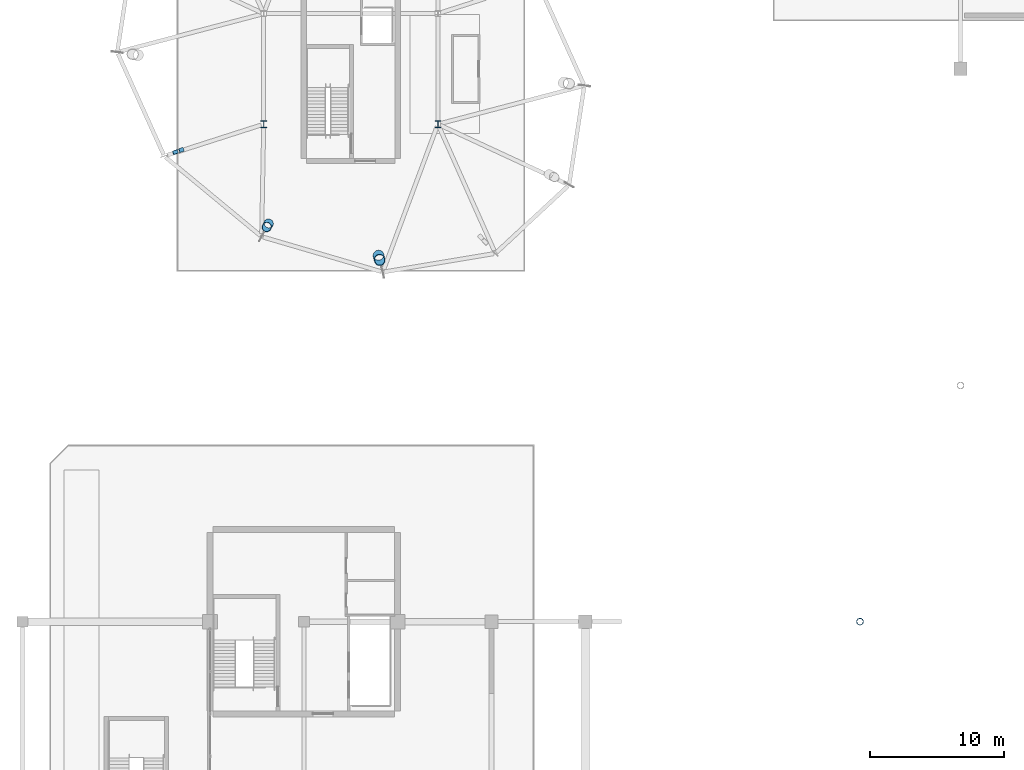
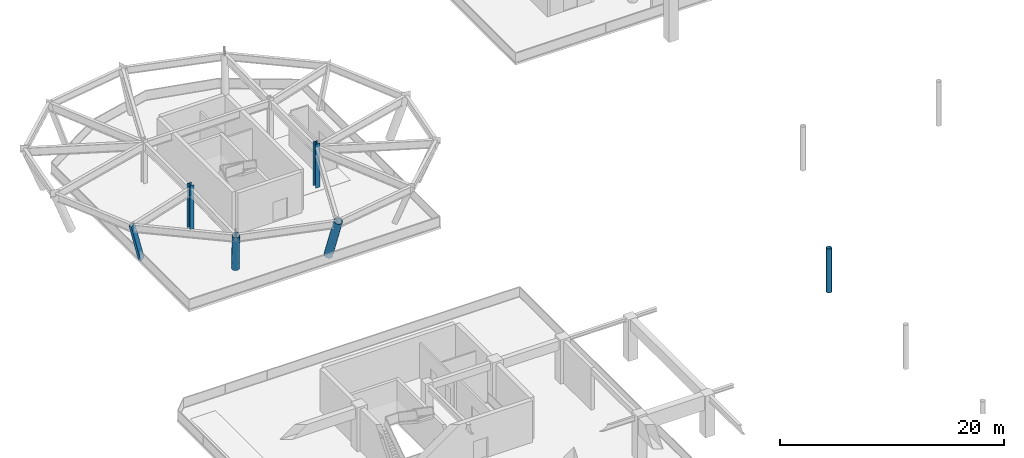
# One storey, part 13 of 91: 6 columns.
"""IFC4 building model written with IfcOpenShell, lengths in metres."""

import ifcopenshell
import ifcopenshell.guid

model = None  # the IFC model being written
_history = None  # IfcOwnerHistory: only IFC2X3 demands one
_inside = {}  # id of a spatial element -> (the spatial element, [elements in it])
_under = {}  # id of a project, library or spatial element -> (it, [spatial elements below it])
_declared = {}  # id of a project -> (the project, [libraries it declares])
_typed = {}  # id of a type object -> (the type object, [elements of that type])
_made_of = {}  # id of a material, layer set ... -> (it, [elements and type objects made of it])


def new_model(schema):
    """Start an empty IFC model of exactly this schema.

    Asked for "IFC4X3", IfcOpenShell would pick the latest addendum, in which some entities
    have other attributes; the version numbers below select the first issue.
    IFC2X3 requires an IfcOwnerHistory on every rooted entity: one is made here for all.
    """
    global model, _history
    if schema == "IFC4X3":
        model = ifcopenshell.file(schema_version=(4, 3, 0, 0))
    else:
        model = ifcopenshell.file(schema=schema)
    _inside.clear()
    _under.clear()
    _declared.clear()
    _typed.clear()
    _made_of.clear()
    _history = None
    if model.schema == "IFC2X3":
        org = make("IfcOrganization", Name="unknown")
        user = make(
            "IfcPersonAndOrganization",
            ThePerson=make("IfcPerson", FamilyName="unknown"),
            TheOrganization=org,
        )
        app = make(
            "IfcApplication",
            ApplicationDeveloper=org,
            Version="unknown",
            ApplicationFullName="unknown",
            ApplicationIdentifier="unknown",
        )
        _history = make(
            "IfcOwnerHistory",
            OwningUser=user,
            OwningApplication=app,
            ChangeAction="ADDED",
            CreationDate=0,
        )
    return model


def make(cls, **values):
    """One entity of the class cls with the attributes given. An attribute that is None is left unset."""
    return model.create_entity(
        cls, **{name: value for name, value in values.items() if value is not None}
    )


def rooted(cls, **values):
    """An entity with a GlobalId (a new one), such as an element, a storey or a relation."""
    return make(cls, GlobalId=ifcopenshell.guid.new(), OwnerHistory=_history, **values)


def si_unit(unit_type, name, prefix=None):
    """IfcSIUnit, for example si_unit("LENGTHUNIT", "METRE", prefix="MILLI")."""
    return make("IfcSIUnit", UnitType=unit_type, Prefix=prefix, Name=name)


def assignment(units):
    """IfcUnitAssignment: the units of a project."""
    return None if units is None else make("IfcUnitAssignment", Units=units)


def point(xyz):
    """IfcCartesianPoint."""
    return None if xyz is None else make("IfcCartesianPoint", Coordinates=xyz)


def direction(xyz):
    """IfcDirection."""
    return None if xyz is None else make("IfcDirection", DirectionRatios=xyz)


def frame(location, z_axis=None, x_axis=None):
    """IfcAxis2Placement3D, a coordinate frame: its origin and axes. An axis left out is left unset."""
    return make(
        "IfcAxis2Placement3D",
        Location=point(location),
        Axis=direction(z_axis),
        RefDirection=direction(x_axis),
    )


def frame_2d(location, x_axis=None):
    """IfcAxis2Placement2D, a coordinate frame in the plane: its origin and x axis."""
    return make(
        "IfcAxis2Placement2D", Location=point(location), RefDirection=direction(x_axis)
    )


def origin():
    """The frame at (0, 0, 0) with its axes left unset."""
    return frame((0.0, 0.0, 0.0))


def origin_2d():
    """The frame at (0, 0) in the plane with its x axis left unset."""
    return frame_2d((0.0, 0.0))


def place(relative_to, where):
    """IfcLocalPlacement: puts the frame where relative to a parent placement (None: the world)."""
    return make(
        "IfcLocalPlacement", PlacementRelTo=relative_to, RelativePlacement=where
    )


def context(
    kind, dimensions, precision=None, world=None, true_north=None, identifier=None
):
    """IfcGeometricRepresentationContext, for example the 3D "Model" context."""
    return make(
        "IfcGeometricRepresentationContext",
        ContextIdentifier=identifier,
        ContextType=kind,
        CoordinateSpaceDimension=dimensions,
        Precision=precision,
        WorldCoordinateSystem=world,
        TrueNorth=true_north,
    )


def subcontext(parent, identifier, kind, view, scale=None):
    """IfcGeometricRepresentationSubContext, for example "Body" below "Model"."""
    return make(
        "IfcGeometricRepresentationSubContext",
        ContextIdentifier=identifier,
        ContextType=kind,
        ParentContext=parent,
        TargetScale=scale,
        TargetView=view,
    )


def project(units=None, contexts=None):
    """IfcProject with its units and contexts."""
    return rooted(
        "IfcProject",
        Name="project",
        RepresentationContexts=contexts,
        UnitsInContext=assignment(units),
    )


def spatial(cls, under=None, at=None, **own):
    """A site, building, storey or space (cls), placed at a placement, below another one or the project."""
    s = rooted(cls, ObjectPlacement=at, **own)
    if under is not None:
        _under.setdefault(under.id(), (under, []))[1].append(s)
    return s


def profile(cls, at=None, kind="AREA", **sizes):
    """A parametric profile (cls). Its sizes go by their IFC names, for example OverallWidth=200.0."""
    return make(cls, ProfileType=kind, Position=at, **sizes)


def hollow_rectangle(**sizes):
    """IfcRectangleHollowProfileDef."""
    return profile("IfcRectangleHollowProfileDef", **sizes)


def hollow_circle(**sizes):
    """IfcCircleHollowProfileDef."""
    return profile("IfcCircleHollowProfileDef", **sizes)


def i_section(**sizes):
    """IfcIShapeProfileDef."""
    return profile("IfcIShapeProfileDef", **sizes)


def extrude(swept, where, along, depth):
    """IfcExtrudedAreaSolid: the profile swept, set in the frame where, extruded along a direction by depth."""
    return make(
        "IfcExtrudedAreaSolid",
        SweptArea=swept,
        Position=where,
        ExtrudedDirection=direction(along),
        Depth=depth,
    )


def shape(context_of_items, identifier, shape_type, items):
    """IfcShapeRepresentation: the items that make up one representation, for example the "Body"."""
    return make(
        "IfcShapeRepresentation",
        ContextOfItems=context_of_items,
        RepresentationIdentifier=identifier,
        RepresentationType=shape_type,
        Items=items,
    )


def material(Name=None, Category=None):
    """IfcMaterial."""
    return make("IfcMaterial", Name=Name, Category=Category)


def material_profile(
    of_material, cross_section, Name=None, Category=None, Priority=None
):
    """IfcMaterialProfile: a cross section and its material."""
    return make(
        "IfcMaterialProfile",
        Name=Name,
        Material=of_material,
        Profile=cross_section,
        Priority=Priority,
        Category=Category,
    )


def profile_set(profiles, Name=None, composite=None):
    """IfcMaterialProfileSet."""
    return make(
        "IfcMaterialProfileSet",
        Name=Name,
        MaterialProfiles=profiles,
        CompositeProfile=composite,
    )


def made_of(thing, what):
    """Note that an element or type object is made of a material, layer set ...; save() writes the relation."""
    if what is not None:
        _made_of.setdefault(what.id(), (what, []))[1].append(thing)
    return thing


def type_object(cls, material=None, **own):
    """A type object (cls), such as IfcWallType, which elements share."""
    return made_of(rooted(cls, **own), material)


def element(
    cls,
    number,
    at=None,
    inside=None,
    cuts=None,
    type_object=None,
    material=None,
    context=None,
    identifier="Body",
    shape_type=None,
    held_by="IfcProductDefinitionShape",
    body=None,
    shapes=None,
    **own,
):
    """One element of the class cls, such as IfcWall. Its Tag is "e" and its number.

    at: its placement. inside: the storey or other place that contains it. cuts: it is an
    opening in that element (IfcRelVoidsElement). A single representation is given by context,
    identifier, shape_type and body (its items); several are given by shapes. held_by: the class
    of the entity that holds the representations. save() writes the other relations.
    """
    e = rooted(cls, Tag="e%d" % number, ObjectPlacement=at, **own)
    if body is not None:
        shapes = [shape(context, identifier, shape_type, body)]
    if shapes is not None:
        e.Representation = make(held_by, Representations=shapes)
    if inside is not None:
        _inside.setdefault(inside.id(), (inside, []))[1].append(e)
    if cuts is not None:
        rooted(
            "IfcRelVoidsElement", RelatingBuildingElement=cuts, RelatedOpeningElement=e
        )
    if type_object is not None:
        _typed.setdefault(type_object.id(), (type_object, []))[1].append(e)
    return made_of(e, material)


def aggregate(whole, parts):
    """IfcRelAggregates: a whole, such as a stair, and the parts it consists of."""
    return rooted("IfcRelAggregates", RelatingObject=whole, RelatedObjects=parts)


def save(model, path):
    """Write the relations noted so far, then the file.

    IfcRelAggregates (storeys below a building ...), IfcRelContainedInSpatialStructure (elements
    in a storey), IfcRelDefinesByType, IfcRelAssociatesMaterial and IfcRelDeclares: one each for
    every whole, place, type object, material and project.
    """
    for whole, parts in _under.values():
        aggregate(whole, parts)
    for where, things in _inside.values():
        rooted(
            "IfcRelContainedInSpatialStructure",
            RelatedElements=things,
            RelatingStructure=where,
        )
    for kind, things in _typed.values():
        rooted("IfcRelDefinesByType", RelatedObjects=things, RelatingType=kind)
    for what, things in _made_of.values():
        rooted("IfcRelAssociatesMaterial", RelatedObjects=things, RelatingMaterial=what)
    for by, libraries in _declared.values():
        rooted("IfcRelDeclares", RelatingContext=by, RelatedDefinitions=libraries)
    model.write(path)


model = new_model("IFC4")

# Units and contexts
model_context = context("Model", 3, precision=1e-05, world=origin(), true_north=direction((0.0, 1.0)))
body_context = subcontext(model_context, "Body", "Model", "MODEL_VIEW")
ifc_project = project(units=[si_unit("LENGTHUNIT", "METRE"), si_unit("AREAUNIT", "SQUARE_METRE"), si_unit("VOLUMEUNIT", "CUBIC_METRE"), si_unit("PLANEANGLEUNIT", "RADIAN"), si_unit("MASSUNIT", "GRAM", prefix="KILO")], contexts=[model_context])

# Site, building, storey
site_placement = place(None, origin())
site = spatial("IfcSite", under=ifc_project, at=site_placement, CompositionType="ELEMENT")
building_placement = place(site_placement, origin())
building = spatial("IfcBuilding", under=site, at=building_placement, Name="Linyun Crest Stadium", CompositionType="ELEMENT")
storey_placement = place(building_placement, frame((0.0, 0.0, 11.39990234375)))
storey = spatial("IfcBuildingStorey", under=building, at=storey_placement, Name="L03", CompositionType="ELEMENT", Elevation=11.39990234375)

# Columns
ifc_material_1 = material(Name="Steel Q420C", Category="steel")
ifc_material_profile_1 = material_profile(ifc_material_1, i_section(OverallWidth=0.431884765625, OverallDepth=0.498046875, WebThickness=0.02392578125, FlangeThickness=0.0380859375, at=origin_2d()), Name="HW 498x432")
ifc_profile_set_1 = profile_set([ifc_material_profile_1], Name="Steel Q420C")
column_type_1 = type_object("IfcColumnType", Name="SC04", PredefinedType="COLUMN", material=ifc_profile_set_1)
for number, where, z_axis, x_axis, name in (
    (1, (-80.0, 80.5, 0.0), (0.0, 0.0, 1.0), (1.0, 0.0, 0.0), "Column SC04 L03 797"),
    (2, (-67.0, 80.5, 0.0), (0.0, 0.0, 1.0), (1.0, 0.0, 0.0), "Column SC04 L03 804"),
):
    element("IfcColumn", number, at=place(storey_placement, frame(where, z_axis=z_axis, x_axis=x_axis)), inside=storey, type_object=column_type_1, Name=name, PredefinedType="COLUMN", context=body_context, shape_type="SweptSolid", body=[
        extrude(i_section(OverallWidth=0.431884765625, OverallDepth=0.498046875, WebThickness=0.02392578125, FlangeThickness=0.0380859375, at=origin_2d()), origin(), (0.0, 0.0, 1.0), 4.798095703125),
    ])
ifc_material_2 = material(Name="Steel Q355C", Category="steel")
ifc_material_profile_2 = material_profile(ifc_material_2, hollow_circle(Radius=0.25390625, WallThickness=0.02490234375, at=origin_2d()), Name="CHS 508x25")
ifc_profile_set_2 = profile_set([ifc_material_profile_2], Name="Steel Q355C")
column_type_2 = type_object("IfcColumnType", Name="SC05", PredefinedType="COLUMN", material=ifc_profile_set_2)
column_1_placement = place(storey_placement, frame((-35.5, 43.375, 0.0), z_axis=(0.0, 0.0, 1.0), x_axis=(1.0, 0.0, 0.0)))
element("IfcColumn", 3, at=column_1_placement, inside=storey, type_object=column_type_2, Name="Arch colonnade column SC05 L03 16", PredefinedType="COLUMN", context=body_context, shape_type="SweptSolid", body=[
    extrude(hollow_circle(Radius=0.25390625, WallThickness=0.02490234375, at=origin_2d()), origin(), (0.0, 0.0, 1.0), 4.800048828125),
])
ifc_material_3 = material(Name="Steel Q420C", Category="steel")
ifc_material_profile_3 = material_profile(ifc_material_3, hollow_circle(Radius=0.35546875, WallThickness=0.031982421875, at=origin_2d()), Name="CHS 711x32")
ifc_profile_set_3 = profile_set([ifc_material_profile_3], Name="Steel Q420C")
column_type_3 = type_object("IfcColumnType", Name="VL01", PredefinedType="PILASTER", material=ifc_profile_set_3)
column_2_placement = place(storey_placement, frame((-79.636962890625, 73.0830078125, 0.002197265625), z_axis=(-0.11451517366, -0.21575478996, 0.969709309851), x_axis=(0.883293009091, -0.468821351999, 0.0)))
element("IfcColumn", 4, at=column_2_placement, inside=storey, type_object=column_type_3, Name="Inclined V-leg pier VL01 30", PredefinedType="PILASTER", context=body_context, shape_type="SweptSolid", body=[
    extrude(hollow_circle(Radius=0.35546875, WallThickness=0.031982421875, at=origin_2d()), origin(), (0.0, 0.0, 1.0), 4.52392578125),
])
ifc_material_4 = material(Name="Steel Q420C", Category="steel")
ifc_material_profile_4 = material_profile(ifc_material_4, hollow_circle(Radius=0.406494140625, WallThickness=0.035888671875, at=origin_2d()), Name="CHS 813x36")
ifc_profile_set_4 = profile_set([ifc_material_profile_4], Name="Steel Q420C")
column_type_4 = type_object("IfcColumnType", Name="VL02", PredefinedType="PILASTER", material=ifc_profile_set_4)
column_3_placement = place(storey_placement, frame((-71.431884765625, 70.7041015625, 0.002197265625), z_axis=(0.069730452972, -0.274194323552, 0.959142917849), x_axis=(0.969151620915, 0.246465282905, 0.0)))
element("IfcColumn", 5, at=column_3_placement, inside=storey, type_object=column_type_4, Name="Inclined V-leg pier VL02 33", PredefinedType="PILASTER", context=body_context, shape_type="SweptSolid", body=[
    extrude(hollow_circle(Radius=0.406494140625, WallThickness=0.035888671875, at=origin_2d()), origin(), (0.0, 0.0, 1.0), 4.544677734375),
])
ifc_material_5 = material(Name="Steel Q420C", Category="steel")
ifc_material_profile_5 = material_profile(ifc_material_5, hollow_rectangle(XDim=0.300048828125, YDim=0.5, WallThickness=0.02001953125, at=origin_2d()), Name="RHS 500x300x20")
ifc_profile_set_5 = profile_set([ifc_material_profile_5], Name="Steel Q420C")
column_type_5 = type_object("IfcColumnType", Name="VL03", PredefinedType="PILASTER", material=ifc_profile_set_5)
column_4_placement = place(storey_placement, frame((-86.197998046875, 78.554931640625, 0.002197265625), z_axis=(-0.26620321345, -0.095418294691, 0.959182567704), x_axis=(0.337420415701, -0.941354058295, 0.0)))
element("IfcColumn", 6, at=column_4_placement, inside=storey, type_object=column_type_5, Name="Inclined V-leg pier VL03 27", PredefinedType="PILASTER", context=body_context, shape_type="SweptSolid", body=[
    extrude(hollow_rectangle(XDim=0.300048828125, YDim=0.5, WallThickness=0.02001953125, at=origin_2d()), origin(), (0.0, 0.0, 1.0), 4.590087890625),
])

save(model, "model.ifc")
